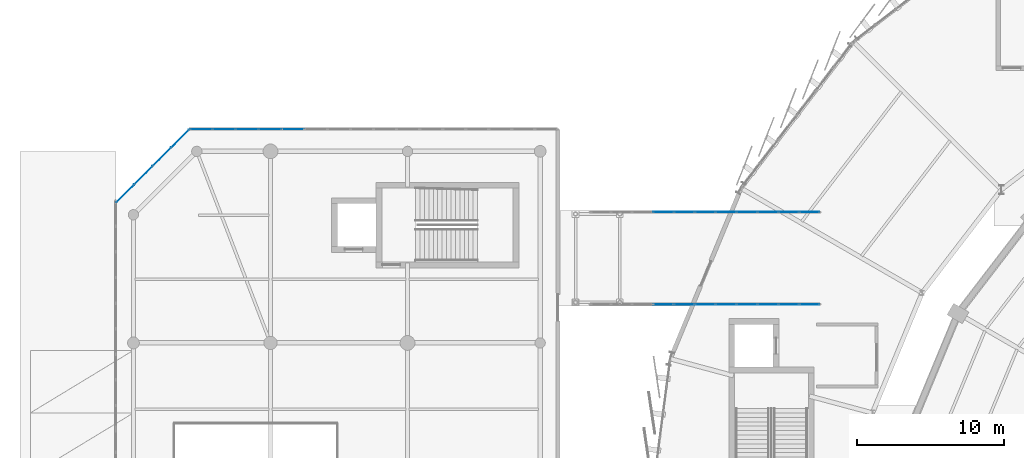
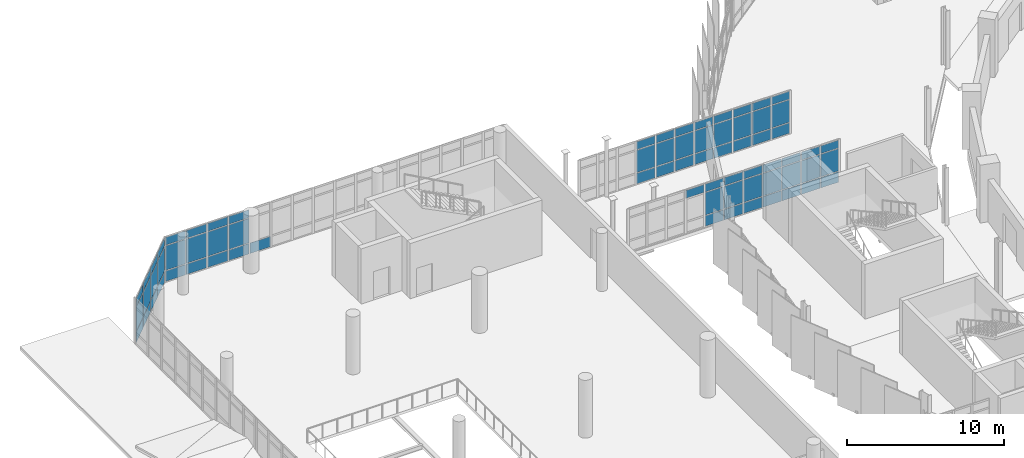
# One storey, part 91 of 134: 71 plates, 4 elements without a shape of their own.
"""IFC4 building model written with IfcOpenShell, lengths in metres."""

from ifc_helpers import new_model, si_unit, direction, frame, origin, origin_2d, place, context, subcontext, project, spatial, rectangle, extrude, material, layer, layer_set, type_object, element, aggregate, save


model = new_model("IFC4")

# Units and contexts
model_context = context("Model", 3, precision=1e-05, world=origin(), true_north=direction((0.0, 1.0)))
body_context = subcontext(model_context, "Body", "Model", "MODEL_VIEW")
ifc_project = project(units=[si_unit("LENGTHUNIT", "METRE"), si_unit("AREAUNIT", "SQUARE_METRE"), si_unit("VOLUMEUNIT", "CUBIC_METRE"), si_unit("PLANEANGLEUNIT", "RADIAN"), si_unit("MASSUNIT", "GRAM", prefix="KILO")], contexts=[model_context])

# Site, building, storey
site_placement = place(None, origin())
site = spatial("IfcSite", under=ifc_project, at=site_placement, CompositionType="ELEMENT")
building_placement = place(site_placement, origin())
building = spatial("IfcBuilding", under=site, at=building_placement, Name="Sohan Crest Arena", CompositionType="ELEMENT")
storey_placement = place(building_placement, frame((0.0, 0.0, 4.5)))
storey = spatial("IfcBuildingStorey", under=building, at=storey_placement, Name="L01", CompositionType="ELEMENT", Elevation=4.5)

# Curtain wall, plates
ifc_material_1 = material(Name="Thermally broken anodised aluminium", Category="aluminium")
ifc_layer_1 = layer(ifc_material_1, 0.199951171875, Name="Thermally broken anodised aluminium")
ifc_layer_set_1 = layer_set([ifc_layer_1], Name="Thermally broken anodised aluminium")
curtain_wall_type_1 = type_object("IfcCurtainWallType", Name="ARC-CW02", PredefinedType="NOTDEFINED", material=ifc_layer_set_1)
curtain_wall_1_placement = place(storey_placement, origin())
curtain_wall_1 = element("IfcCurtainWall", 1, at=curtain_wall_1_placement, inside=storey, type_object=curtain_wall_type_1, Name="Unitised curtain wall CW-207", PredefinedType="NOTDEFINED")
ifc_material_2 = material(Name="Low-E double-glazed insulated glass", Category="glass")
ifc_layer_2 = layer(ifc_material_2, 0.028076171875, Name="Low-E double-glazed insulated glass")
ifc_layer_set_2 = layer_set([ifc_layer_2], Name="Low-E double-glazed insulated glass")
plate_type = type_object("IfcPlateType", Name="ARC-CNP01", PredefinedType="CURTAIN_PANEL", material=ifc_layer_set_2)
plate_1_placement = place(storey_placement, frame((26.03125, 106.0, 0.06005859375), z_axis=(0.0, 0.0, 1.0), x_axis=(-1.0, 0.0, 0.0)))
plate_1 = element("IfcPlate", 2, at=plate_1_placement, type_object=plate_type, Name="CW-207 panel 12.1", PredefinedType="CURTAIN_PANEL", context=body_context, shape_type="SweptSolid", body=[
    extrude(rectangle(XDim=1.49755859375, YDim=0.028076171875, at=origin_2d()), origin(), (0.0, 0.0, 1.0), 0.81005859375),
])
plate_2_placement = place(storey_placement, frame((24.46875, 106.0, 0.06005859375), z_axis=(0.0, 0.0, 1.0), x_axis=(-1.0, 0.0, 0.0)))
plate_2 = element("IfcPlate", 3, at=plate_2_placement, type_object=plate_type, Name="CW-207 panel 13.1", PredefinedType="CURTAIN_PANEL", context=body_context, shape_type="SweptSolid", body=[
    extrude(rectangle(XDim=1.49755859375, YDim=0.028076171875, at=origin_2d()), origin(), (0.0, 0.0, 1.0), 0.81005859375),
])
plate_3_placement = place(storey_placement, frame((24.46875, 106.0, 0.93017578125), z_axis=(0.0, 0.0, 1.0), x_axis=(-1.0, 0.0, 0.0)))
plate_3 = element("IfcPlate", 4, at=plate_3_placement, type_object=plate_type, Name="CW-207 panel 13.2", PredefinedType="CURTAIN_PANEL", context=body_context, shape_type="SweptSolid", body=[
    extrude(rectangle(XDim=1.49755859375, YDim=0.028076171875, at=origin_2d()), origin(), (0.0, 0.0, 1.0), 1.889892578125),
])
plate_4_placement = place(storey_placement, frame((24.46875, 106.0, 2.8798828125), z_axis=(0.0, 0.0, 1.0), x_axis=(-1.0, 0.0, 0.0)))
plate_4 = element("IfcPlate", 5, at=plate_4_placement, type_object=plate_type, Name="CW-207 panel 13.3", PredefinedType="CURTAIN_PANEL", context=body_context, shape_type="SweptSolid", body=[
    extrude(rectangle(XDim=1.49755859375, YDim=0.028076171875, at=origin_2d()), origin(), (0.0, 0.0, 1.0), 0.610107421875),
])
plate_5_placement = place(storey_placement, frame((22.90625, 106.0, 0.06005859375), z_axis=(0.0, 0.0, 1.0), x_axis=(-1.0, 0.0, 0.0)))
plate_5 = element("IfcPlate", 6, at=plate_5_placement, type_object=plate_type, Name="CW-207 panel 14.1", PredefinedType="CURTAIN_PANEL", context=body_context, shape_type="SweptSolid", body=[
    extrude(rectangle(XDim=1.49755859375, YDim=0.028076171875, at=origin_2d()), origin(), (0.0, 0.0, 1.0), 0.81005859375),
])
plate_6_placement = place(storey_placement, frame((22.90625, 106.0, 0.93017578125), z_axis=(0.0, 0.0, 1.0), x_axis=(-1.0, 0.0, 0.0)))
plate_6 = element("IfcPlate", 7, at=plate_6_placement, type_object=plate_type, Name="CW-207 panel 14.2", PredefinedType="CURTAIN_PANEL", context=body_context, shape_type="SweptSolid", body=[
    extrude(rectangle(XDim=1.49755859375, YDim=0.028076171875, at=origin_2d()), origin(), (0.0, 0.0, 1.0), 1.889892578125),
])
plate_7_placement = place(storey_placement, frame((22.90625, 106.0, 2.8798828125), z_axis=(0.0, 0.0, 1.0), x_axis=(-1.0, 0.0, 0.0)))
plate_7 = element("IfcPlate", 8, at=plate_7_placement, type_object=plate_type, Name="CW-207 panel 14.3", PredefinedType="CURTAIN_PANEL", context=body_context, shape_type="SweptSolid", body=[
    extrude(rectangle(XDim=1.49755859375, YDim=0.028076171875, at=origin_2d()), origin(), (0.0, 0.0, 1.0), 0.610107421875),
])
plate_8_placement = place(storey_placement, frame((21.34375, 106.0, 0.06005859375), z_axis=(0.0, 0.0, 1.0), x_axis=(-1.0, 0.0, 0.0)))
plate_8 = element("IfcPlate", 9, at=plate_8_placement, type_object=plate_type, Name="CW-207 panel 15.1", PredefinedType="CURTAIN_PANEL", context=body_context, shape_type="SweptSolid", body=[
    extrude(rectangle(XDim=1.49755859375, YDim=0.028076171875, at=origin_2d()), origin(), (0.0, 0.0, 1.0), 0.81005859375),
])
plate_9_placement = place(storey_placement, frame((21.34375, 106.0, 0.93017578125), z_axis=(0.0, 0.0, 1.0), x_axis=(-1.0, 0.0, 0.0)))
plate_9 = element("IfcPlate", 10, at=plate_9_placement, type_object=plate_type, Name="CW-207 panel 15.2", PredefinedType="CURTAIN_PANEL", context=body_context, shape_type="SweptSolid", body=[
    extrude(rectangle(XDim=1.49755859375, YDim=0.028076171875, at=origin_2d()), origin(), (0.0, 0.0, 1.0), 1.889892578125),
])
plate_10_placement = place(storey_placement, frame((21.34375, 106.0, 2.8798828125), z_axis=(0.0, 0.0, 1.0), x_axis=(-1.0, 0.0, 0.0)))
plate_10 = element("IfcPlate", 11, at=plate_10_placement, type_object=plate_type, Name="CW-207 panel 15.3", PredefinedType="CURTAIN_PANEL", context=body_context, shape_type="SweptSolid", body=[
    extrude(rectangle(XDim=1.49755859375, YDim=0.028076171875, at=origin_2d()), origin(), (0.0, 0.0, 1.0), 0.610107421875),
])
plate_11_placement = place(storey_placement, frame((19.797607421875, 106.0, 0.06005859375), z_axis=(0.0, 0.0, 1.0), x_axis=(-1.0, 0.0, 0.0)))
plate_11 = element("IfcPlate", 12, at=plate_11_placement, type_object=plate_type, Name="CW-207 panel 16.1", PredefinedType="CURTAIN_PANEL", context=body_context, shape_type="SweptSolid", body=[
    extrude(rectangle(XDim=1.465087890625, YDim=0.028076171875, at=origin_2d()), origin(), (0.0, 0.0, 1.0), 0.81005859375),
])
plate_12_placement = place(storey_placement, frame((19.797607421875, 106.0, 0.93017578125), z_axis=(0.0, 0.0, 1.0), x_axis=(-1.0, 0.0, 0.0)))
plate_12 = element("IfcPlate", 13, at=plate_12_placement, type_object=plate_type, Name="CW-207 panel 16.2", PredefinedType="CURTAIN_PANEL", context=body_context, shape_type="SweptSolid", body=[
    extrude(rectangle(XDim=1.465087890625, YDim=0.028076171875, at=origin_2d()), origin(), (0.0, 0.0, 1.0), 1.889892578125),
])
plate_13_placement = place(storey_placement, frame((19.797607421875, 106.0, 2.8798828125), z_axis=(0.0, 0.0, 1.0), x_axis=(-1.0, 0.0, 0.0)))
plate_13 = element("IfcPlate", 14, at=plate_13_placement, type_object=plate_type, Name="CW-207 panel 16.3", PredefinedType="CURTAIN_PANEL", context=body_context, shape_type="SweptSolid", body=[
    extrude(rectangle(XDim=1.465087890625, YDim=0.028076171875, at=origin_2d()), origin(), (0.0, 0.0, 1.0), 0.610107421875),
])
aggregate(curtain_wall_1, [plate_1, plate_2, plate_3, plate_4, plate_5, plate_6, plate_7, plate_8, plate_9, plate_10, plate_11, plate_12, plate_13])

curtain_wall_2_placement = place(storey_placement, origin())
curtain_wall_2 = element("IfcCurtainWall", 15, at=curtain_wall_2_placement, inside=storey, type_object=curtain_wall_type_1, Name="Unitised curtain wall CW-208", PredefinedType="NOTDEFINED")
plate_14_placement = place(storey_placement, frame((18.363525390625, 105.363525390625, 0.06005859375), z_axis=(0.0, 0.0, 1.0), x_axis=(-0.707106781187, -0.707106781187, 0.0)))
plate_14 = element("IfcPlate", 16, at=plate_14_placement, type_object=plate_type, Name="CW-208 panel 1.1", PredefinedType="CURTAIN_PANEL", context=body_context, shape_type="SweptSolid", body=[
    extrude(rectangle(XDim=1.670166015625, YDim=0.028076171875, at=origin_2d()), origin(), (0.0, 0.0, 1.0), 0.81005859375),
])
plate_15_placement = place(storey_placement, frame((18.363525390625, 105.363525390625, 0.93017578125), z_axis=(0.0, 0.0, 1.0), x_axis=(-0.707106781187, -0.707106781187, 0.0)))
plate_15 = element("IfcPlate", 17, at=plate_15_placement, type_object=plate_type, Name="CW-208 panel 1.2", PredefinedType="CURTAIN_PANEL", context=body_context, shape_type="SweptSolid", body=[
    extrude(rectangle(XDim=1.670166015625, YDim=0.028076171875, at=origin_2d()), origin(), (0.0, 0.0, 1.0), 1.889892578125),
])
plate_16_placement = place(storey_placement, frame((18.363525390625, 105.363525390625, 2.8798828125), z_axis=(0.0, 0.0, 1.0), x_axis=(-0.707106781187, -0.707106781187, 0.0)))
plate_16 = element("IfcPlate", 18, at=plate_16_placement, type_object=plate_type, Name="CW-208 panel 1.3", PredefinedType="CURTAIN_PANEL", context=body_context, shape_type="SweptSolid", body=[
    extrude(rectangle(XDim=1.670166015625, YDim=0.028076171875, at=origin_2d()), origin(), (0.0, 0.0, 1.0), 0.610107421875),
])
plate_17_placement = place(storey_placement, frame((17.125, 104.125, 0.06005859375), z_axis=(0.0, 0.0, 1.0), x_axis=(-0.707106781187, -0.707106781187, 0.0)))
plate_17 = element("IfcPlate", 19, at=plate_17_placement, type_object=plate_type, Name="CW-208 panel 2.1", PredefinedType="CURTAIN_PANEL", context=body_context, shape_type="SweptSolid", body=[
    extrude(rectangle(XDim=1.702880859375, YDim=0.028076171875, at=origin_2d()), origin(), (0.0, 0.0, 1.0), 0.81005859375),
])
plate_18_placement = place(storey_placement, frame((17.125, 104.125, 0.93017578125), z_axis=(0.0, 0.0, 1.0), x_axis=(-0.707106781187, -0.707106781187, 0.0)))
plate_18 = element("IfcPlate", 20, at=plate_18_placement, type_object=plate_type, Name="CW-208 panel 2.2", PredefinedType="CURTAIN_PANEL", context=body_context, shape_type="SweptSolid", body=[
    extrude(rectangle(XDim=1.702880859375, YDim=0.028076171875, at=origin_2d()), origin(), (0.0, 0.0, 1.0), 1.889892578125),
])
plate_19_placement = place(storey_placement, frame((17.125, 104.125, 2.8798828125), z_axis=(0.0, 0.0, 1.0), x_axis=(-0.707106781187, -0.707106781187, 0.0)))
plate_19 = element("IfcPlate", 21, at=plate_19_placement, type_object=plate_type, Name="CW-208 panel 2.3", PredefinedType="CURTAIN_PANEL", context=body_context, shape_type="SweptSolid", body=[
    extrude(rectangle(XDim=1.702880859375, YDim=0.028076171875, at=origin_2d()), origin(), (0.0, 0.0, 1.0), 0.610107421875),
])
plate_20_placement = place(storey_placement, frame((15.875, 102.875, 0.06005859375), z_axis=(0.0, 0.0, 1.0), x_axis=(-0.707106781187, -0.707106781187, 0.0)))
plate_20 = element("IfcPlate", 22, at=plate_20_placement, type_object=plate_type, Name="CW-208 panel 3.1", PredefinedType="CURTAIN_PANEL", context=body_context, shape_type="SweptSolid", body=[
    extrude(rectangle(XDim=1.702880859375, YDim=0.028076171875, at=origin_2d()), origin(), (0.0, 0.0, 1.0), 0.81005859375),
])
plate_21_placement = place(storey_placement, frame((15.875, 102.875, 0.93017578125), z_axis=(0.0, 0.0, 1.0), x_axis=(-0.707106781187, -0.707106781187, 0.0)))
plate_21 = element("IfcPlate", 23, at=plate_21_placement, type_object=plate_type, Name="CW-208 panel 3.2", PredefinedType="CURTAIN_PANEL", context=body_context, shape_type="SweptSolid", body=[
    extrude(rectangle(XDim=1.702880859375, YDim=0.028076171875, at=origin_2d()), origin(), (0.0, 0.0, 1.0), 1.889892578125),
])
plate_22_placement = place(storey_placement, frame((15.875, 102.875, 2.8798828125), z_axis=(0.0, 0.0, 1.0), x_axis=(-0.707106781187, -0.707106781187, 0.0)))
plate_22 = element("IfcPlate", 24, at=plate_22_placement, type_object=plate_type, Name="CW-208 panel 3.3", PredefinedType="CURTAIN_PANEL", context=body_context, shape_type="SweptSolid", body=[
    extrude(rectangle(XDim=1.702880859375, YDim=0.028076171875, at=origin_2d()), origin(), (0.0, 0.0, 1.0), 0.610107421875),
])
plate_23_placement = place(storey_placement, frame((14.636474609375, 101.636474609375, 0.06005859375), z_axis=(0.0, 0.0, 1.0), x_axis=(-0.707106781187, -0.707106781187, 0.0)))
plate_23 = element("IfcPlate", 25, at=plate_23_placement, type_object=plate_type, Name="CW-208 panel 4.1", PredefinedType="CURTAIN_PANEL", context=body_context, shape_type="SweptSolid", body=[
    extrude(rectangle(XDim=1.670166015625, YDim=0.028076171875, at=origin_2d()), origin(), (0.0, 0.0, 1.0), 0.81005859375),
])
plate_24_placement = place(storey_placement, frame((14.636474609375, 101.636474609375, 0.93017578125), z_axis=(0.0, 0.0, 1.0), x_axis=(-0.707106781187, -0.707106781187, 0.0)))
plate_24 = element("IfcPlate", 26, at=plate_24_placement, type_object=plate_type, Name="CW-208 panel 4.2", PredefinedType="CURTAIN_PANEL", context=body_context, shape_type="SweptSolid", body=[
    extrude(rectangle(XDim=1.670166015625, YDim=0.028076171875, at=origin_2d()), origin(), (0.0, 0.0, 1.0), 1.889892578125),
])
plate_25_placement = place(storey_placement, frame((14.636474609375, 101.636474609375, 2.8798828125), z_axis=(0.0, 0.0, 1.0), x_axis=(-0.707106781187, -0.707106781187, 0.0)))
plate_25 = element("IfcPlate", 27, at=plate_25_placement, type_object=plate_type, Name="CW-208 panel 4.3", PredefinedType="CURTAIN_PANEL", context=body_context, shape_type="SweptSolid", body=[
    extrude(rectangle(XDim=1.670166015625, YDim=0.028076171875, at=origin_2d()), origin(), (0.0, 0.0, 1.0), 0.610107421875),
])
aggregate(curtain_wall_2, [plate_14, plate_15, plate_16, plate_17, plate_18, plate_19, plate_20, plate_21, plate_22, plate_23, plate_24, plate_25])

ifc_layer_3 = layer(ifc_material_1, 0.18994140625, Name="Thermally broken anodised aluminium")
ifc_layer_set_3 = layer_set([ifc_layer_3], Name="Thermally broken anodised aluminium")
curtain_wall_type_2 = type_object("IfcCurtainWallType", Name="ARC-CW05", PredefinedType="NOTDEFINED", material=ifc_layer_set_3)
curtain_wall_3_placement = place(storey_placement, origin())
curtain_wall_3 = element("IfcCurtainWall", 28, at=curtain_wall_3_placement, inside=storey, type_object=curtain_wall_type_2, Name="Unitised curtain wall CW-233", PredefinedType="NOTDEFINED")
plate_26_placement = place(storey_placement, frame((51.16357421875, 94.1201171875, 2.72998046875), z_axis=(0.0, 0.0, 1.0), x_axis=(1.0, 0.0, 0.0)))
plate_26 = element("IfcPlate", 29, at=plate_26_placement, type_object=plate_type, Name="CW-233 panel 4.3", PredefinedType="CURTAIN_PANEL", context=body_context, shape_type="SweptSolid", body=[
    extrude(rectangle(XDim=1.353271484375, YDim=0.028076171875, at=origin_2d()), origin(), (0.0, 0.0, 1.0), 0.610107421875),
])
plate_27_placement = place(storey_placement, frame((52.581787109375, 94.1201171875, 0.06005859375), z_axis=(0.0, 0.0, 1.0), x_axis=(1.0, 0.0, 0.0)))
plate_27 = element("IfcPlate", 30, at=plate_27_placement, type_object=plate_type, Name="CW-233 panel 5.1", PredefinedType="CURTAIN_PANEL", context=body_context, shape_type="SweptSolid", body=[
    extrude(rectangle(XDim=1.353271484375, YDim=0.028076171875, at=origin_2d()), origin(), (0.0, 0.0, 1.0), 0.81005859375),
])
plate_28_placement = place(storey_placement, frame((52.581787109375, 94.1201171875, 0.93017578125), z_axis=(0.0, 0.0, 1.0), x_axis=(1.0, 0.0, 0.0)))
plate_28 = element("IfcPlate", 31, at=plate_28_placement, type_object=plate_type, Name="CW-233 panel 5.2", PredefinedType="CURTAIN_PANEL", context=body_context, shape_type="SweptSolid", body=[
    extrude(rectangle(XDim=1.353271484375, YDim=0.028076171875, at=origin_2d()), origin(), (0.0, 0.0, 1.0), 1.739990234375),
])
plate_29_placement = place(storey_placement, frame((52.581787109375, 94.1201171875, 2.72998046875), z_axis=(0.0, 0.0, 1.0), x_axis=(1.0, 0.0, 0.0)))
plate_29 = element("IfcPlate", 32, at=plate_29_placement, type_object=plate_type, Name="CW-233 panel 5.3", PredefinedType="CURTAIN_PANEL", context=body_context, shape_type="SweptSolid", body=[
    extrude(rectangle(XDim=1.353271484375, YDim=0.028076171875, at=origin_2d()), origin(), (0.0, 0.0, 1.0), 0.610107421875),
])
plate_30_placement = place(storey_placement, frame((54.0, 94.1201171875, 0.06005859375), z_axis=(0.0, 0.0, 1.0), x_axis=(1.0, 0.0, 0.0)))
plate_30 = element("IfcPlate", 33, at=plate_30_placement, type_object=plate_type, Name="CW-233 panel 6.1", PredefinedType="CURTAIN_PANEL", context=body_context, shape_type="SweptSolid", body=[
    extrude(rectangle(XDim=1.353271484375, YDim=0.028076171875, at=origin_2d()), origin(), (0.0, 0.0, 1.0), 0.81005859375),
])
plate_31_placement = place(storey_placement, frame((54.0, 94.1201171875, 0.93017578125), z_axis=(0.0, 0.0, 1.0), x_axis=(1.0, 0.0, 0.0)))
plate_31 = element("IfcPlate", 34, at=plate_31_placement, type_object=plate_type, Name="CW-233 panel 6.2", PredefinedType="CURTAIN_PANEL", context=body_context, shape_type="SweptSolid", body=[
    extrude(rectangle(XDim=1.353271484375, YDim=0.028076171875, at=origin_2d()), origin(), (0.0, 0.0, 1.0), 1.739990234375),
])
plate_32_placement = place(storey_placement, frame((54.0, 94.1201171875, 2.72998046875), z_axis=(0.0, 0.0, 1.0), x_axis=(1.0, 0.0, 0.0)))
plate_32 = element("IfcPlate", 35, at=plate_32_placement, type_object=plate_type, Name="CW-233 panel 6.3", PredefinedType="CURTAIN_PANEL", context=body_context, shape_type="SweptSolid", body=[
    extrude(rectangle(XDim=1.353271484375, YDim=0.028076171875, at=origin_2d()), origin(), (0.0, 0.0, 1.0), 0.610107421875),
])
plate_33_placement = place(storey_placement, frame((55.418212890625, 94.1201171875, 0.06005859375), z_axis=(0.0, 0.0, 1.0), x_axis=(1.0, 0.0, 0.0)))
plate_33 = element("IfcPlate", 36, at=plate_33_placement, type_object=plate_type, Name="CW-233 panel 7.1", PredefinedType="CURTAIN_PANEL", context=body_context, shape_type="SweptSolid", body=[
    extrude(rectangle(XDim=1.353271484375, YDim=0.028076171875, at=origin_2d()), origin(), (0.0, 0.0, 1.0), 0.81005859375),
])
plate_34_placement = place(storey_placement, frame((55.418212890625, 94.1201171875, 0.93017578125), z_axis=(0.0, 0.0, 1.0), x_axis=(1.0, 0.0, 0.0)))
plate_34 = element("IfcPlate", 37, at=plate_34_placement, type_object=plate_type, Name="CW-233 panel 7.2", PredefinedType="CURTAIN_PANEL", context=body_context, shape_type="SweptSolid", body=[
    extrude(rectangle(XDim=1.353271484375, YDim=0.028076171875, at=origin_2d()), origin(), (0.0, 0.0, 1.0), 1.739990234375),
])
plate_35_placement = place(storey_placement, frame((55.418212890625, 94.1201171875, 2.72998046875), z_axis=(0.0, 0.0, 1.0), x_axis=(1.0, 0.0, 0.0)))
plate_35 = element("IfcPlate", 38, at=plate_35_placement, type_object=plate_type, Name="CW-233 panel 7.3", PredefinedType="CURTAIN_PANEL", context=body_context, shape_type="SweptSolid", body=[
    extrude(rectangle(XDim=1.353271484375, YDim=0.028076171875, at=origin_2d()), origin(), (0.0, 0.0, 1.0), 0.610107421875),
])
plate_36_placement = place(storey_placement, frame((56.83642578125, 94.1201171875, 0.06005859375), z_axis=(0.0, 0.0, 1.0), x_axis=(1.0, 0.0, 0.0)))
plate_36 = element("IfcPlate", 39, at=plate_36_placement, type_object=plate_type, Name="CW-233 panel 8.1", PredefinedType="CURTAIN_PANEL", context=body_context, shape_type="SweptSolid", body=[
    extrude(rectangle(XDim=1.353271484375, YDim=0.028076171875, at=origin_2d()), origin(), (0.0, 0.0, 1.0), 0.81005859375),
])
plate_37_placement = place(storey_placement, frame((56.83642578125, 94.1201171875, 0.93017578125), z_axis=(0.0, 0.0, 1.0), x_axis=(1.0, 0.0, 0.0)))
plate_37 = element("IfcPlate", 40, at=plate_37_placement, type_object=plate_type, Name="CW-233 panel 8.2", PredefinedType="CURTAIN_PANEL", context=body_context, shape_type="SweptSolid", body=[
    extrude(rectangle(XDim=1.353271484375, YDim=0.028076171875, at=origin_2d()), origin(), (0.0, 0.0, 1.0), 1.739990234375),
])
plate_38_placement = place(storey_placement, frame((56.83642578125, 94.1201171875, 2.72998046875), z_axis=(0.0, 0.0, 1.0), x_axis=(1.0, 0.0, 0.0)))
plate_38 = element("IfcPlate", 41, at=plate_38_placement, type_object=plate_type, Name="CW-233 panel 8.3", PredefinedType="CURTAIN_PANEL", context=body_context, shape_type="SweptSolid", body=[
    extrude(rectangle(XDim=1.353271484375, YDim=0.028076171875, at=origin_2d()), origin(), (0.0, 0.0, 1.0), 0.610107421875),
])
plate_39_placement = place(storey_placement, frame((58.254638671875, 94.1201171875, 0.06005859375), z_axis=(0.0, 0.0, 1.0), x_axis=(1.0, 0.0, 0.0)))
plate_39 = element("IfcPlate", 42, at=plate_39_placement, type_object=plate_type, Name="CW-233 panel 9.1", PredefinedType="CURTAIN_PANEL", context=body_context, shape_type="SweptSolid", body=[
    extrude(rectangle(XDim=1.353271484375, YDim=0.028076171875, at=origin_2d()), origin(), (0.0, 0.0, 1.0), 0.81005859375),
])
plate_40_placement = place(storey_placement, frame((58.254638671875, 94.1201171875, 0.93017578125), z_axis=(0.0, 0.0, 1.0), x_axis=(1.0, 0.0, 0.0)))
plate_40 = element("IfcPlate", 43, at=plate_40_placement, type_object=plate_type, Name="CW-233 panel 9.2", PredefinedType="CURTAIN_PANEL", context=body_context, shape_type="SweptSolid", body=[
    extrude(rectangle(XDim=1.353271484375, YDim=0.028076171875, at=origin_2d()), origin(), (0.0, 0.0, 1.0), 1.739990234375),
])
plate_41_placement = place(storey_placement, frame((58.254638671875, 94.1201171875, 2.72998046875), z_axis=(0.0, 0.0, 1.0), x_axis=(1.0, 0.0, 0.0)))
plate_41 = element("IfcPlate", 44, at=plate_41_placement, type_object=plate_type, Name="CW-233 panel 9.3", PredefinedType="CURTAIN_PANEL", context=body_context, shape_type="SweptSolid", body=[
    extrude(rectangle(XDim=1.353271484375, YDim=0.028076171875, at=origin_2d()), origin(), (0.0, 0.0, 1.0), 0.610107421875),
])
plate_42_placement = place(storey_placement, frame((59.672607421875, 94.1201171875, 0.06005859375), z_axis=(0.0, 0.0, 1.0), x_axis=(1.0, 0.0, 0.0)))
plate_42 = element("IfcPlate", 45, at=plate_42_placement, type_object=plate_type, Name="CW-233 panel 10.1", PredefinedType="CURTAIN_PANEL", context=body_context, shape_type="SweptSolid", body=[
    extrude(rectangle(XDim=1.353271484375, YDim=0.028076171875, at=origin_2d()), origin(), (0.0, 0.0, 1.0), 0.81005859375),
])
plate_43_placement = place(storey_placement, frame((59.672607421875, 94.1201171875, 0.93017578125), z_axis=(0.0, 0.0, 1.0), x_axis=(1.0, 0.0, 0.0)))
plate_43 = element("IfcPlate", 46, at=plate_43_placement, type_object=plate_type, Name="CW-233 panel 10.2", PredefinedType="CURTAIN_PANEL", context=body_context, shape_type="SweptSolid", body=[
    extrude(rectangle(XDim=1.353271484375, YDim=0.028076171875, at=origin_2d()), origin(), (0.0, 0.0, 1.0), 1.739990234375),
])
plate_44_placement = place(storey_placement, frame((59.672607421875, 94.1201171875, 2.72998046875), z_axis=(0.0, 0.0, 1.0), x_axis=(1.0, 0.0, 0.0)))
plate_44 = element("IfcPlate", 47, at=plate_44_placement, type_object=plate_type, Name="CW-233 panel 10.3", PredefinedType="CURTAIN_PANEL", context=body_context, shape_type="SweptSolid", body=[
    extrude(rectangle(XDim=1.353271484375, YDim=0.028076171875, at=origin_2d()), origin(), (0.0, 0.0, 1.0), 0.610107421875),
])
plate_45_placement = place(storey_placement, frame((61.07470703125, 94.1201171875, 0.06005859375), z_axis=(0.0, 0.0, 1.0), x_axis=(1.0, 0.0, 0.0)))
plate_45 = element("IfcPlate", 48, at=plate_45_placement, type_object=plate_type, Name="CW-233 panel 11.1", PredefinedType="CURTAIN_PANEL", context=body_context, shape_type="SweptSolid", body=[
    extrude(rectangle(XDim=1.32080078125, YDim=0.028076171875, at=origin_2d()), origin(), (0.0, 0.0, 1.0), 0.81005859375),
])
plate_46_placement = place(storey_placement, frame((61.07470703125, 94.1201171875, 0.93017578125), z_axis=(0.0, 0.0, 1.0), x_axis=(1.0, 0.0, 0.0)))
plate_46 = element("IfcPlate", 49, at=plate_46_placement, type_object=plate_type, Name="CW-233 panel 11.2", PredefinedType="CURTAIN_PANEL", context=body_context, shape_type="SweptSolid", body=[
    extrude(rectangle(XDim=1.32080078125, YDim=0.028076171875, at=origin_2d()), origin(), (0.0, 0.0, 1.0), 1.739990234375),
])
plate_47_placement = place(storey_placement, frame((61.07470703125, 94.1201171875, 2.72998046875), z_axis=(0.0, 0.0, 1.0), x_axis=(1.0, 0.0, 0.0)))
plate_47 = element("IfcPlate", 50, at=plate_47_placement, type_object=plate_type, Name="CW-233 panel 11.3", PredefinedType="CURTAIN_PANEL", context=body_context, shape_type="SweptSolid", body=[
    extrude(rectangle(XDim=1.32080078125, YDim=0.028076171875, at=origin_2d()), origin(), (0.0, 0.0, 1.0), 0.610107421875),
])
aggregate(curtain_wall_3, [plate_26, plate_27, plate_28, plate_29, plate_30, plate_31, plate_32, plate_33, plate_34, plate_35, plate_36, plate_37, plate_38, plate_39, plate_40, plate_41, plate_42, plate_43, plate_44, plate_45, plate_46, plate_47])

curtain_wall_4_placement = place(storey_placement, origin())
curtain_wall_4 = element("IfcCurtainWall", 51, at=curtain_wall_4_placement, inside=storey, type_object=curtain_wall_type_2, Name="Unitised curtain wall CW-234", PredefinedType="NOTDEFINED")
plate_48_placement = place(storey_placement, frame((51.16357421875, 100.3798828125, 0.06005859375), z_axis=(0.0, 0.0, 1.0), x_axis=(1.0, 0.0, 0.0)))
plate_48 = element("IfcPlate", 52, at=plate_48_placement, type_object=plate_type, Name="CW-234 panel 4.1", PredefinedType="CURTAIN_PANEL", context=body_context, shape_type="SweptSolid", body=[
    extrude(rectangle(XDim=1.353271484375, YDim=0.028076171875, at=origin_2d()), origin(), (0.0, 0.0, 1.0), 0.81005859375),
])
plate_49_placement = place(storey_placement, frame((51.16357421875, 100.3798828125, 0.93017578125), z_axis=(0.0, 0.0, 1.0), x_axis=(1.0, 0.0, 0.0)))
plate_49 = element("IfcPlate", 53, at=plate_49_placement, type_object=plate_type, Name="CW-234 panel 4.2", PredefinedType="CURTAIN_PANEL", context=body_context, shape_type="SweptSolid", body=[
    extrude(rectangle(XDim=1.353271484375, YDim=0.028076171875, at=origin_2d()), origin(), (0.0, 0.0, 1.0), 1.739990234375),
])
plate_50_placement = place(storey_placement, frame((51.16357421875, 100.3798828125, 2.72998046875), z_axis=(0.0, 0.0, 1.0), x_axis=(1.0, 0.0, 0.0)))
plate_50 = element("IfcPlate", 54, at=plate_50_placement, type_object=plate_type, Name="CW-234 panel 4.3", PredefinedType="CURTAIN_PANEL", context=body_context, shape_type="SweptSolid", body=[
    extrude(rectangle(XDim=1.353271484375, YDim=0.028076171875, at=origin_2d()), origin(), (0.0, 0.0, 1.0), 0.610107421875),
])
plate_51_placement = place(storey_placement, frame((52.581787109375, 100.3798828125, 0.06005859375), z_axis=(0.0, 0.0, 1.0), x_axis=(1.0, 0.0, 0.0)))
plate_51 = element("IfcPlate", 55, at=plate_51_placement, type_object=plate_type, Name="CW-234 panel 5.1", PredefinedType="CURTAIN_PANEL", context=body_context, shape_type="SweptSolid", body=[
    extrude(rectangle(XDim=1.353271484375, YDim=0.028076171875, at=origin_2d()), origin(), (0.0, 0.0, 1.0), 0.81005859375),
])
plate_52_placement = place(storey_placement, frame((52.581787109375, 100.3798828125, 0.93017578125), z_axis=(0.0, 0.0, 1.0), x_axis=(1.0, 0.0, 0.0)))
plate_52 = element("IfcPlate", 56, at=plate_52_placement, type_object=plate_type, Name="CW-234 panel 5.2", PredefinedType="CURTAIN_PANEL", context=body_context, shape_type="SweptSolid", body=[
    extrude(rectangle(XDim=1.353271484375, YDim=0.028076171875, at=origin_2d()), origin(), (0.0, 0.0, 1.0), 1.739990234375),
])
plate_53_placement = place(storey_placement, frame((52.581787109375, 100.3798828125, 2.72998046875), z_axis=(0.0, 0.0, 1.0), x_axis=(1.0, 0.0, 0.0)))
plate_53 = element("IfcPlate", 57, at=plate_53_placement, type_object=plate_type, Name="CW-234 panel 5.3", PredefinedType="CURTAIN_PANEL", context=body_context, shape_type="SweptSolid", body=[
    extrude(rectangle(XDim=1.353271484375, YDim=0.028076171875, at=origin_2d()), origin(), (0.0, 0.0, 1.0), 0.610107421875),
])
plate_54_placement = place(storey_placement, frame((54.0, 100.3798828125, 0.06005859375), z_axis=(0.0, 0.0, 1.0), x_axis=(1.0, 0.0, 0.0)))
plate_54 = element("IfcPlate", 58, at=plate_54_placement, type_object=plate_type, Name="CW-234 panel 6.1", PredefinedType="CURTAIN_PANEL", context=body_context, shape_type="SweptSolid", body=[
    extrude(rectangle(XDim=1.353271484375, YDim=0.028076171875, at=origin_2d()), origin(), (0.0, 0.0, 1.0), 0.81005859375),
])
plate_55_placement = place(storey_placement, frame((54.0, 100.3798828125, 0.93017578125), z_axis=(0.0, 0.0, 1.0), x_axis=(1.0, 0.0, 0.0)))
plate_55 = element("IfcPlate", 59, at=plate_55_placement, type_object=plate_type, Name="CW-234 panel 6.2", PredefinedType="CURTAIN_PANEL", context=body_context, shape_type="SweptSolid", body=[
    extrude(rectangle(XDim=1.353271484375, YDim=0.028076171875, at=origin_2d()), origin(), (0.0, 0.0, 1.0), 1.739990234375),
])
plate_56_placement = place(storey_placement, frame((54.0, 100.3798828125, 2.72998046875), z_axis=(0.0, 0.0, 1.0), x_axis=(1.0, 0.0, 0.0)))
plate_56 = element("IfcPlate", 60, at=plate_56_placement, type_object=plate_type, Name="CW-234 panel 6.3", PredefinedType="CURTAIN_PANEL", context=body_context, shape_type="SweptSolid", body=[
    extrude(rectangle(XDim=1.353271484375, YDim=0.028076171875, at=origin_2d()), origin(), (0.0, 0.0, 1.0), 0.610107421875),
])
plate_57_placement = place(storey_placement, frame((55.418212890625, 100.3798828125, 0.06005859375), z_axis=(0.0, 0.0, 1.0), x_axis=(1.0, 0.0, 0.0)))
plate_57 = element("IfcPlate", 61, at=plate_57_placement, type_object=plate_type, Name="CW-234 panel 7.1", PredefinedType="CURTAIN_PANEL", context=body_context, shape_type="SweptSolid", body=[
    extrude(rectangle(XDim=1.353271484375, YDim=0.028076171875, at=origin_2d()), origin(), (0.0, 0.0, 1.0), 0.81005859375),
])
plate_58_placement = place(storey_placement, frame((55.418212890625, 100.3798828125, 0.93017578125), z_axis=(0.0, 0.0, 1.0), x_axis=(1.0, 0.0, 0.0)))
plate_58 = element("IfcPlate", 62, at=plate_58_placement, type_object=plate_type, Name="CW-234 panel 7.2", PredefinedType="CURTAIN_PANEL", context=body_context, shape_type="SweptSolid", body=[
    extrude(rectangle(XDim=1.353271484375, YDim=0.028076171875, at=origin_2d()), origin(), (0.0, 0.0, 1.0), 1.739990234375),
])
plate_59_placement = place(storey_placement, frame((55.418212890625, 100.3798828125, 2.72998046875), z_axis=(0.0, 0.0, 1.0), x_axis=(1.0, 0.0, 0.0)))
plate_59 = element("IfcPlate", 63, at=plate_59_placement, type_object=plate_type, Name="CW-234 panel 7.3", PredefinedType="CURTAIN_PANEL", context=body_context, shape_type="SweptSolid", body=[
    extrude(rectangle(XDim=1.353271484375, YDim=0.028076171875, at=origin_2d()), origin(), (0.0, 0.0, 1.0), 0.610107421875),
])
plate_60_placement = place(storey_placement, frame((56.83642578125, 100.3798828125, 0.06005859375), z_axis=(0.0, 0.0, 1.0), x_axis=(1.0, 0.0, 0.0)))
plate_60 = element("IfcPlate", 64, at=plate_60_placement, type_object=plate_type, Name="CW-234 panel 8.1", PredefinedType="CURTAIN_PANEL", context=body_context, shape_type="SweptSolid", body=[
    extrude(rectangle(XDim=1.353271484375, YDim=0.028076171875, at=origin_2d()), origin(), (0.0, 0.0, 1.0), 0.81005859375),
])
plate_61_placement = place(storey_placement, frame((56.83642578125, 100.3798828125, 0.93017578125), z_axis=(0.0, 0.0, 1.0), x_axis=(1.0, 0.0, 0.0)))
plate_61 = element("IfcPlate", 65, at=plate_61_placement, type_object=plate_type, Name="CW-234 panel 8.2", PredefinedType="CURTAIN_PANEL", context=body_context, shape_type="SweptSolid", body=[
    extrude(rectangle(XDim=1.353271484375, YDim=0.028076171875, at=origin_2d()), origin(), (0.0, 0.0, 1.0), 1.739990234375),
])
plate_62_placement = place(storey_placement, frame((56.83642578125, 100.3798828125, 2.72998046875), z_axis=(0.0, 0.0, 1.0), x_axis=(1.0, 0.0, 0.0)))
plate_62 = element("IfcPlate", 66, at=plate_62_placement, type_object=plate_type, Name="CW-234 panel 8.3", PredefinedType="CURTAIN_PANEL", context=body_context, shape_type="SweptSolid", body=[
    extrude(rectangle(XDim=1.353271484375, YDim=0.028076171875, at=origin_2d()), origin(), (0.0, 0.0, 1.0), 0.610107421875),
])
plate_63_placement = place(storey_placement, frame((58.254638671875, 100.3798828125, 0.06005859375), z_axis=(0.0, 0.0, 1.0), x_axis=(1.0, 0.0, 0.0)))
plate_63 = element("IfcPlate", 67, at=plate_63_placement, type_object=plate_type, Name="CW-234 panel 9.1", PredefinedType="CURTAIN_PANEL", context=body_context, shape_type="SweptSolid", body=[
    extrude(rectangle(XDim=1.353271484375, YDim=0.028076171875, at=origin_2d()), origin(), (0.0, 0.0, 1.0), 0.81005859375),
])
plate_64_placement = place(storey_placement, frame((58.254638671875, 100.3798828125, 0.93017578125), z_axis=(0.0, 0.0, 1.0), x_axis=(1.0, 0.0, 0.0)))
plate_64 = element("IfcPlate", 68, at=plate_64_placement, type_object=plate_type, Name="CW-234 panel 9.2", PredefinedType="CURTAIN_PANEL", context=body_context, shape_type="SweptSolid", body=[
    extrude(rectangle(XDim=1.353271484375, YDim=0.028076171875, at=origin_2d()), origin(), (0.0, 0.0, 1.0), 1.739990234375),
])
plate_65_placement = place(storey_placement, frame((58.254638671875, 100.3798828125, 2.72998046875), z_axis=(0.0, 0.0, 1.0), x_axis=(1.0, 0.0, 0.0)))
plate_65 = element("IfcPlate", 69, at=plate_65_placement, type_object=plate_type, Name="CW-234 panel 9.3", PredefinedType="CURTAIN_PANEL", context=body_context, shape_type="SweptSolid", body=[
    extrude(rectangle(XDim=1.353271484375, YDim=0.028076171875, at=origin_2d()), origin(), (0.0, 0.0, 1.0), 0.610107421875),
])
plate_66_placement = place(storey_placement, frame((59.672607421875, 100.3798828125, 0.06005859375), z_axis=(0.0, 0.0, 1.0), x_axis=(1.0, 0.0, 0.0)))
plate_66 = element("IfcPlate", 70, at=plate_66_placement, type_object=plate_type, Name="CW-234 panel 10.1", PredefinedType="CURTAIN_PANEL", context=body_context, shape_type="SweptSolid", body=[
    extrude(rectangle(XDim=1.353271484375, YDim=0.028076171875, at=origin_2d()), origin(), (0.0, 0.0, 1.0), 0.81005859375),
])
plate_67_placement = place(storey_placement, frame((59.672607421875, 100.3798828125, 0.93017578125), z_axis=(0.0, 0.0, 1.0), x_axis=(1.0, 0.0, 0.0)))
plate_67 = element("IfcPlate", 71, at=plate_67_placement, type_object=plate_type, Name="CW-234 panel 10.2", PredefinedType="CURTAIN_PANEL", context=body_context, shape_type="SweptSolid", body=[
    extrude(rectangle(XDim=1.353271484375, YDim=0.028076171875, at=origin_2d()), origin(), (0.0, 0.0, 1.0), 1.739990234375),
])
plate_68_placement = place(storey_placement, frame((59.672607421875, 100.3798828125, 2.72998046875), z_axis=(0.0, 0.0, 1.0), x_axis=(1.0, 0.0, 0.0)))
plate_68 = element("IfcPlate", 72, at=plate_68_placement, type_object=plate_type, Name="CW-234 panel 10.3", PredefinedType="CURTAIN_PANEL", context=body_context, shape_type="SweptSolid", body=[
    extrude(rectangle(XDim=1.353271484375, YDim=0.028076171875, at=origin_2d()), origin(), (0.0, 0.0, 1.0), 0.610107421875),
])
plate_69_placement = place(storey_placement, frame((61.07470703125, 100.3798828125, 0.06005859375), z_axis=(0.0, 0.0, 1.0), x_axis=(1.0, 0.0, 0.0)))
plate_69 = element("IfcPlate", 73, at=plate_69_placement, type_object=plate_type, Name="CW-234 panel 11.1", PredefinedType="CURTAIN_PANEL", context=body_context, shape_type="SweptSolid", body=[
    extrude(rectangle(XDim=1.32080078125, YDim=0.028076171875, at=origin_2d()), origin(), (0.0, 0.0, 1.0), 0.81005859375),
])
plate_70_placement = place(storey_placement, frame((61.07470703125, 100.3798828125, 0.93017578125), z_axis=(0.0, 0.0, 1.0), x_axis=(1.0, 0.0, 0.0)))
plate_70 = element("IfcPlate", 74, at=plate_70_placement, type_object=plate_type, Name="CW-234 panel 11.2", PredefinedType="CURTAIN_PANEL", context=body_context, shape_type="SweptSolid", body=[
    extrude(rectangle(XDim=1.32080078125, YDim=0.028076171875, at=origin_2d()), origin(), (0.0, 0.0, 1.0), 1.739990234375),
])
plate_71_placement = place(storey_placement, frame((61.07470703125, 100.3798828125, 2.72998046875), z_axis=(0.0, 0.0, 1.0), x_axis=(1.0, 0.0, 0.0)))
plate_71 = element("IfcPlate", 75, at=plate_71_placement, type_object=plate_type, Name="CW-234 panel 11.3", PredefinedType="CURTAIN_PANEL", context=body_context, shape_type="SweptSolid", body=[
    extrude(rectangle(XDim=1.32080078125, YDim=0.028076171875, at=origin_2d()), origin(), (0.0, 0.0, 1.0), 0.610107421875),
])
aggregate(curtain_wall_4, [plate_48, plate_49, plate_50, plate_51, plate_52, plate_53, plate_54, plate_55, plate_56, plate_57, plate_58, plate_59, plate_60, plate_61, plate_62, plate_63, plate_64, plate_65, plate_66, plate_67, plate_68, plate_69, plate_70, plate_71])

save(model, "model.ifc")
